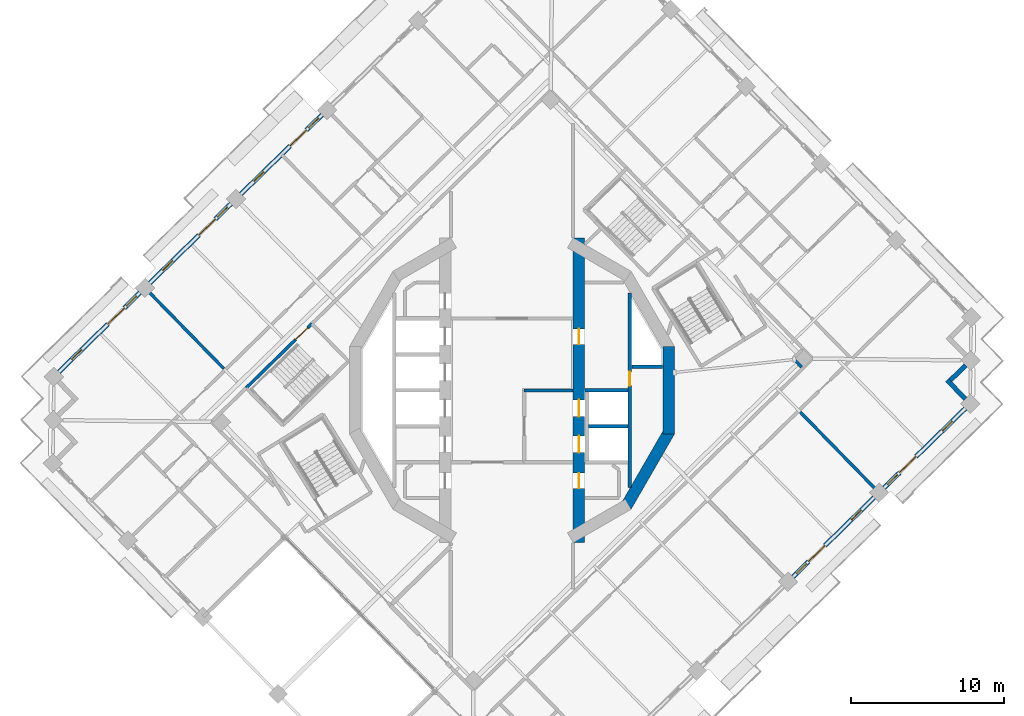
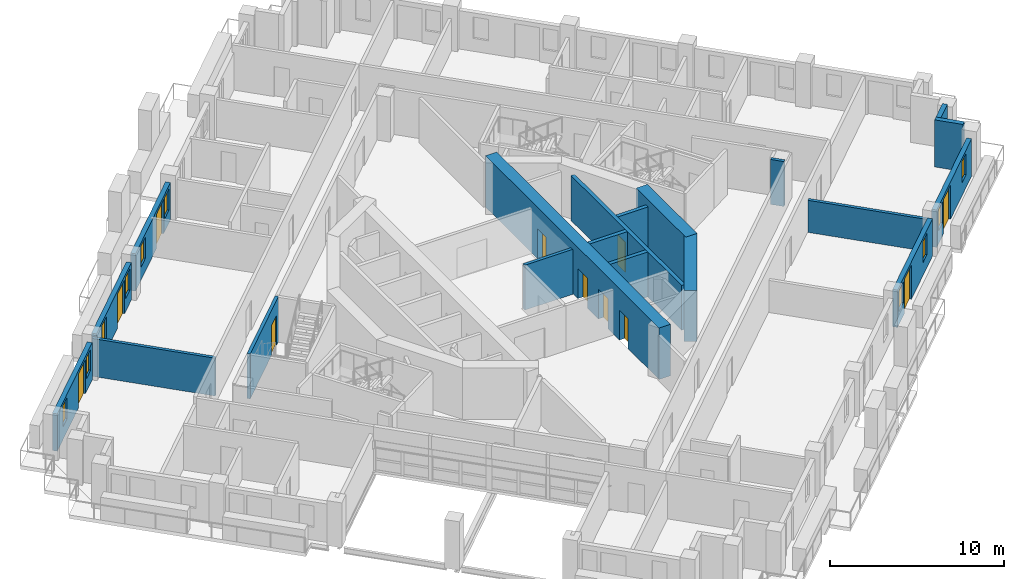
# One storey, part 9 of 19: 19 walls, 11 doors, 10 windows, 21 openings.
"""IFC4 building model written with IfcOpenShell, lengths in metres."""

from ifc_helpers import new_model, si_unit, direction, frame, frame_2d, origin, place, context, subcontext, project, spatial, rectangle, extrude, material, layer, layer_set, type_object, element, fill, save


model = new_model("IFC4")

# Units and contexts
model_context = context("Model", 3, precision=1e-05, world=origin(), true_north=direction((0.0, 1.0)))
body_context = subcontext(model_context, "Body", "Model", "MODEL_VIEW")
ifc_project = project(units=[si_unit("LENGTHUNIT", "METRE"), si_unit("AREAUNIT", "SQUARE_METRE"), si_unit("VOLUMEUNIT", "CUBIC_METRE"), si_unit("PLANEANGLEUNIT", "RADIAN"), si_unit("MASSUNIT", "GRAM", prefix="KILO")], contexts=[model_context])

# Site, building, storey
site_placement = place(None, origin())
site = spatial("IfcSite", under=ifc_project, at=site_placement, CompositionType="ELEMENT")
building_placement = place(site_placement, origin())
building = spatial("IfcBuilding", under=site, at=building_placement, Name="Cantera Rosa Tower", CompositionType="ELEMENT")
storey_placement = place(building_placement, frame((0.0, 0.0, 241.39990234375)))
storey = spatial("IfcBuildingStorey", under=building, at=storey_placement, Name="L53", CompositionType="ELEMENT", Elevation=241.39990234375)

# Walls
ifc_material_1 = material(Name="Hollow clay masonry with cantera stone cladding", Category="masonry")
ifc_layer_1 = layer(ifc_material_1, 0.300048828125)
ifc_layer_set_1 = layer_set([ifc_layer_1], Name="EW-LOGGIA 300")
wall_type_1 = type_object("IfcWallType", Name="EW-LOGGIA 300", PredefinedType="SOLIDWALL", material=ifc_layer_set_1)
wall_1_placement = place(storey_placement, frame((29.623291015625, -0.556884765625, 0.0), z_axis=(0.0, 0.0, 1.0), x_axis=(-0.69880105094, 0.715316077832, 0.0)))
element("IfcWall", 1, at=wall_1_placement, inside=storey, type_object=wall_type_1, Name="EN-L53-W26a", PredefinedType="SOLIDWALL", context=body_context, shape_type="SweptSolid", body=[
    extrude(rectangle(XDim=1.699951171875, YDim=0.300048828125, at=frame_2d((0.85009765625, 0.0))), origin(), (0.0, 0.0, 1.0), 3.300048828125),
])
wall_2_placement = place(storey_placement, frame((28.6474609375, 0.65673828125, 0.0), z_axis=(0.0, 0.0, 1.0), x_axis=(0.715341715727, 0.698774806172, 0.0)))
element("IfcWall", 2, at=wall_2_placement, inside=storey, type_object=wall_type_1, Name="EN-L53-W26b", PredefinedType="SOLIDWALL", context=body_context, shape_type="SweptSolid", body=[
    extrude(rectangle(XDim=1.39990234375, YDim=0.300048828125, at=frame_2d((0.699951171875, 0.0))), origin(), (0.0, 0.0, 1.0), 3.300048828125),
])

# Wall, openings, windows, door
ifc_material_2 = material(Name="Hollow clay masonry with cantera stone cladding", Category="masonry")
ifc_layer_2 = layer(ifc_material_2, 0.300048828125)
ifc_layer_set_2 = layer_set([ifc_layer_2], Name="EW-LOGGIA 300 H2620")
wall_type_2 = type_object("IfcWallType", Name="EW-LOGGIA 300 H2620", PredefinedType="SOLIDWALL", material=ifc_layer_set_2)
wall_3_placement = place(storey_placement, frame((-12.406005859375, 18.007080078125, 0.0), z_axis=(0.0, 0.0, 1.0), x_axis=(-0.715300826176, -0.698816662703, 0.0)))
wall_3 = element("IfcWall", 3, at=wall_3_placement, inside=storey, type_object=wall_type_2, Name="EN-L53-W09", PredefinedType="SOLIDWALL", context=body_context, shape_type="SweptSolid", body=[
    extrude(rectangle(XDim=7.420166015625, YDim=0.300048828125, at=frame_2d((3.7099609375, 0.0))), origin(), (0.0, 0.0, 1.0), 2.6201171875),
])
opening_1_placement = place(wall_3_placement, frame((0.330078125, 0.0, 0.89990234375)))
opening_1 = element("IfcOpeningElement", 4, at=opening_1_placement, cuts=wall_3, Name="Opening L53-W19", PredefinedType="OPENING", context=body_context, shape_type="SweptSolid", body=[
    extrude(rectangle(XDim=0.89990234375, YDim=1.5, at=frame_2d((0.449951171875, 0.75))), frame((0.0, 0.159912109375, 0.0), z_axis=(0.0, -1.0, 0.0), x_axis=(1.0, 0.0, 0.0)), (0.0, 0.0, 1.0), 0.320068359375),
])
opening_2_placement = place(wall_3_placement, frame((1.429931640625, 0.0, 0.0)))
opening_2 = element("IfcOpeningElement", 5, at=opening_2_placement, cuts=wall_3, Name="Opening L53-TD20", PredefinedType="OPENING", context=body_context, shape_type="SweptSolid", body=[
    extrude(rectangle(XDim=1.5, YDim=2.39990234375, at=frame_2d((0.75, 1.199951171875))), frame((0.0, 0.159912109375, 0.0), z_axis=(0.0, -1.0, 0.0), x_axis=(1.0, 0.0, 0.0)), (0.0, 0.0, 1.0), 0.320068359375),
])
opening_3_placement = place(wall_3_placement, frame((5.340087890625, 0.0, 0.89990234375)))
opening_3 = element("IfcOpeningElement", 6, at=opening_3_placement, cuts=wall_3, Name="Opening L53-W21", PredefinedType="OPENING", context=body_context, shape_type="SweptSolid", body=[
    extrude(rectangle(XDim=0.89990234375, YDim=1.5, at=frame_2d((0.449951171875, 0.75))), frame((0.0, 0.159912109375, 0.0), z_axis=(0.0, -1.0, 0.0), x_axis=(1.0, 0.0, 0.0)), (0.0, 0.0, 1.0), 0.320068359375),
])
ifc_material_3 = material(Name="Aluminium frame with clear glass", Category="aluminium")
window_type = type_object("IfcWindowType", Name="Residential window 900x1500", PartitioningType="SINGLE_PANEL", PredefinedType="WINDOW", material=ifc_material_3)
window_1_placement = place(opening_1_placement, origin())
window_1 = element("IfcWindow", 7, at=window_1_placement, inside=storey, type_object=window_type, Name="WINDOW L53-W19", OverallHeight=1.5, OverallWidth=0.89990234375, PartitioningType="SINGLE_PANEL", PredefinedType="WINDOW", context=body_context, shape_type="SweptSolid", body=[
    extrude(rectangle(XDim=0.89990234375, YDim=1.5, at=frame_2d((0.449951171875, 0.75))), frame((0.0, 0.030029296875, 0.0), z_axis=(0.0, -1.0, 0.0), x_axis=(1.0, 0.0, 0.0)), (0.0, 0.0, 1.0), 0.06005859375),
])
fill(opening_1, window_1)
window_2_placement = place(opening_3_placement, origin())
window_2 = element("IfcWindow", 8, at=window_2_placement, inside=storey, type_object=window_type, Name="WINDOW L53-W21", OverallHeight=1.5, OverallWidth=0.89990234375, PartitioningType="SINGLE_PANEL", PredefinedType="WINDOW", context=body_context, shape_type="SweptSolid", body=[
    extrude(rectangle(XDim=0.89990234375, YDim=1.5, at=frame_2d((0.449951171875, 0.75))), frame((0.0, 0.030029296875, 0.0), z_axis=(0.0, -1.0, 0.0), x_axis=(1.0, 0.0, 0.0)), (0.0, 0.0, 1.0), 0.06005859375),
])
fill(opening_3, window_2)
ifc_material_4 = material(Name="Aluminium frame with clear glass", Category="aluminium")
door_type_1 = type_object("IfcDoorType", Name="TD-R 1500x2400", OperationType="NOTDEFINED", PredefinedType="DOOR", material=ifc_material_4)
door_1_placement = place(opening_2_placement, origin())
door_1 = element("IfcDoor", 9, at=door_1_placement, inside=storey, type_object=door_type_1, Name="LOGGIA DOOR L53-TD20", OperationType="SLIDING_TO_LEFT", OverallHeight=2.39990234375, OverallWidth=1.5, PredefinedType="DOOR", context=body_context, shape_type="SweptSolid", body=[
    extrude(rectangle(XDim=1.5, YDim=2.39990234375, at=frame_2d((0.75, 1.199951171875))), frame((0.0, 0.02490234375, 0.0), z_axis=(0.0, -1.0, 0.0), x_axis=(1.0, 0.0, 0.0)), (0.0, 0.0, 1.0), 0.050048828125),
])
fill(opening_2, door_1)

wall_4_placement = place(storey_placement, frame((-18.357177734375, 12.19287109375, 0.0), z_axis=(0.0, 0.0, 1.0), x_axis=(-0.715300826176, -0.698816662703, 0.0)))
wall_4 = element("IfcWall", 10, at=wall_4_placement, inside=storey, type_object=wall_type_2, Name="EN-L53-W10", PredefinedType="SOLIDWALL", context=body_context, shape_type="SweptSolid", body=[
    extrude(rectangle(XDim=7.420166015625, YDim=0.300048828125, at=frame_2d((3.7099609375, 0.0))), origin(), (0.0, 0.0, 1.0), 2.6201171875),
])
opening_4_placement = place(wall_4_placement, frame((0.330078125, 0.0, 0.89990234375)))
opening_4 = element("IfcOpeningElement", 11, at=opening_4_placement, cuts=wall_4, Name="Opening L53-W22", PredefinedType="OPENING", context=body_context, shape_type="SweptSolid", body=[
    extrude(rectangle(XDim=0.89990234375, YDim=1.5, at=frame_2d((0.449951171875, 0.75))), frame((0.0, 0.159912109375, 0.0), z_axis=(0.0, -1.0, 0.0), x_axis=(1.0, 0.0, 0.0)), (0.0, 0.0, 1.0), 0.320068359375),
])
opening_5_placement = place(wall_4_placement, frame((1.429931640625, 0.0, 0.0)))
opening_5 = element("IfcOpeningElement", 12, at=opening_5_placement, cuts=wall_4, Name="Opening L53-TD23", PredefinedType="OPENING", context=body_context, shape_type="SweptSolid", body=[
    extrude(rectangle(XDim=1.5, YDim=2.39990234375, at=frame_2d((0.75, 1.199951171875))), frame((0.0, 0.159912109375, 0.0), z_axis=(0.0, -1.0, 0.0), x_axis=(1.0, 0.0, 0.0)), (0.0, 0.0, 1.0), 0.320068359375),
])
opening_6_placement = place(wall_4_placement, frame((5.340087890625, 0.0, 0.89990234375)))
opening_6 = element("IfcOpeningElement", 13, at=opening_6_placement, cuts=wall_4, Name="Opening L53-W24", PredefinedType="OPENING", context=body_context, shape_type="SweptSolid", body=[
    extrude(rectangle(XDim=0.89990234375, YDim=1.5, at=frame_2d((0.449951171875, 0.75))), frame((0.0, 0.159912109375, 0.0), z_axis=(0.0, -1.0, 0.0), x_axis=(1.0, 0.0, 0.0)), (0.0, 0.0, 1.0), 0.320068359375),
])
window_3_placement = place(opening_4_placement, origin())
window_3 = element("IfcWindow", 14, at=window_3_placement, inside=storey, type_object=window_type, Name="WINDOW L53-W22", OverallHeight=1.5, OverallWidth=0.89990234375, PartitioningType="SINGLE_PANEL", PredefinedType="WINDOW", context=body_context, shape_type="SweptSolid", body=[
    extrude(rectangle(XDim=0.89990234375, YDim=1.5, at=frame_2d((0.449951171875, 0.75))), frame((0.0, 0.030029296875, 0.0), z_axis=(0.0, -1.0, 0.0), x_axis=(1.0, 0.0, 0.0)), (0.0, 0.0, 1.0), 0.06005859375),
])
fill(opening_4, window_3)
window_4_placement = place(opening_6_placement, origin())
window_4 = element("IfcWindow", 15, at=window_4_placement, inside=storey, type_object=window_type, Name="WINDOW L53-W24", OverallHeight=1.5, OverallWidth=0.89990234375, PartitioningType="SINGLE_PANEL", PredefinedType="WINDOW", context=body_context, shape_type="SweptSolid", body=[
    extrude(rectangle(XDim=0.89990234375, YDim=1.5, at=frame_2d((0.449951171875, 0.75))), frame((0.0, 0.030029296875, 0.0), z_axis=(0.0, -1.0, 0.0), x_axis=(1.0, 0.0, 0.0)), (0.0, 0.0, 1.0), 0.06005859375),
])
fill(opening_6, window_4)
door_2_placement = place(opening_5_placement, origin())
door_2 = element("IfcDoor", 16, at=door_2_placement, inside=storey, type_object=door_type_1, Name="LOGGIA DOOR L53-TD23", OperationType="SLIDING_TO_LEFT", OverallHeight=2.39990234375, OverallWidth=1.5, PredefinedType="DOOR", context=body_context, shape_type="SweptSolid", body=[
    extrude(rectangle(XDim=1.5, YDim=2.39990234375, at=frame_2d((0.75, 1.199951171875))), frame((0.0, 0.02490234375, 0.0), z_axis=(0.0, -1.0, 0.0), x_axis=(1.0, 0.0, 0.0)), (0.0, 0.0, 1.0), 0.050048828125),
])
fill(opening_5, door_2)

wall_5_placement = place(storey_placement, frame((-24.308349609375, 6.37841796875, 0.0), z_axis=(0.0, 0.0, 1.0), x_axis=(-0.715300826176, -0.698816662703, 0.0)))
wall_5 = element("IfcWall", 17, at=wall_5_placement, inside=storey, type_object=wall_type_2, Name="EN-L53-W11", PredefinedType="SOLIDWALL", context=body_context, shape_type="SweptSolid", body=[
    extrude(rectangle(XDim=7.420166015625, YDim=0.300048828125, at=frame_2d((3.7099609375, 0.0))), origin(), (0.0, 0.0, 1.0), 2.6201171875),
])
opening_7_placement = place(wall_5_placement, frame((0.330078125, 0.0, 0.89990234375)))
opening_7 = element("IfcOpeningElement", 18, at=opening_7_placement, cuts=wall_5, Name="Opening L53-W25", PredefinedType="OPENING", context=body_context, shape_type="SweptSolid", body=[
    extrude(rectangle(XDim=0.89990234375, YDim=1.5, at=frame_2d((0.449951171875, 0.75))), frame((0.0, 0.159912109375, 0.0), z_axis=(0.0, -1.0, 0.0), x_axis=(1.0, 0.0, 0.0)), (0.0, 0.0, 1.0), 0.320068359375),
])
opening_8_placement = place(wall_5_placement, frame((1.429931640625, 0.0, 0.0)))
opening_8 = element("IfcOpeningElement", 19, at=opening_8_placement, cuts=wall_5, Name="Opening L53-TD26", PredefinedType="OPENING", context=body_context, shape_type="SweptSolid", body=[
    extrude(rectangle(XDim=1.5, YDim=2.39990234375, at=frame_2d((0.75, 1.199951171875))), frame((0.0, 0.159912109375, 0.0), z_axis=(0.0, -1.0, 0.0), x_axis=(1.0, 0.0, 0.0)), (0.0, 0.0, 1.0), 0.320068359375),
])
opening_9_placement = place(wall_5_placement, frame((5.340087890625, 0.0, 0.89990234375)))
opening_9 = element("IfcOpeningElement", 20, at=opening_9_placement, cuts=wall_5, Name="Opening L53-W27", PredefinedType="OPENING", context=body_context, shape_type="SweptSolid", body=[
    extrude(rectangle(XDim=0.89990234375, YDim=1.5, at=frame_2d((0.449951171875, 0.75))), frame((0.0, 0.159912109375, 0.0), z_axis=(0.0, -1.0, 0.0), x_axis=(1.0, 0.0, 0.0)), (0.0, 0.0, 1.0), 0.320068359375),
])
window_5_placement = place(opening_7_placement, origin())
window_5 = element("IfcWindow", 21, at=window_5_placement, inside=storey, type_object=window_type, Name="WINDOW L53-W25", OverallHeight=1.5, OverallWidth=0.89990234375, PartitioningType="SINGLE_PANEL", PredefinedType="WINDOW", context=body_context, shape_type="SweptSolid", body=[
    extrude(rectangle(XDim=0.89990234375, YDim=1.5, at=frame_2d((0.449951171875, 0.75))), frame((0.0, 0.030029296875, 0.0), z_axis=(0.0, -1.0, 0.0), x_axis=(1.0, 0.0, 0.0)), (0.0, 0.0, 1.0), 0.06005859375),
])
fill(opening_7, window_5)
window_6_placement = place(opening_9_placement, origin())
window_6 = element("IfcWindow", 22, at=window_6_placement, inside=storey, type_object=window_type, Name="WINDOW L53-W27", OverallHeight=1.5, OverallWidth=0.89990234375, PartitioningType="SINGLE_PANEL", PredefinedType="WINDOW", context=body_context, shape_type="SweptSolid", body=[
    extrude(rectangle(XDim=0.89990234375, YDim=1.5, at=frame_2d((0.449951171875, 0.75))), frame((0.0, 0.030029296875, 0.0), z_axis=(0.0, -1.0, 0.0), x_axis=(1.0, 0.0, 0.0)), (0.0, 0.0, 1.0), 0.06005859375),
])
fill(opening_9, window_6)
door_3_placement = place(opening_8_placement, origin())
door_3 = element("IfcDoor", 23, at=door_3_placement, inside=storey, type_object=door_type_1, Name="LOGGIA DOOR L53-TD26", OperationType="SLIDING_TO_LEFT", OverallHeight=2.39990234375, OverallWidth=1.5, PredefinedType="DOOR", context=body_context, shape_type="SweptSolid", body=[
    extrude(rectangle(XDim=1.5, YDim=2.39990234375, at=frame_2d((0.75, 1.199951171875))), frame((0.0, 0.02490234375, 0.0), z_axis=(0.0, -1.0, 0.0), x_axis=(1.0, 0.0, 0.0)), (0.0, 0.0, 1.0), 0.050048828125),
])
fill(opening_8, door_3)

wall_6_placement = place(storey_placement, frame((18.357177734375, -12.19287109375, 0.0), z_axis=(0.0, 0.0, 1.0), x_axis=(0.715300826176, 0.698816662703, 0.0)))
wall_6 = element("IfcWall", 24, at=wall_6_placement, inside=storey, type_object=wall_type_2, Name="EN-L53-W24", PredefinedType="SOLIDWALL", context=body_context, shape_type="SweptSolid", body=[
    extrude(rectangle(XDim=7.420166015625, YDim=0.300048828125, at=frame_2d((3.7099609375, 0.0))), origin(), (0.0, 0.0, 1.0), 2.6201171875),
])
opening_10_placement = place(wall_6_placement, frame((0.330078125, 0.0, 0.89990234375)))
opening_10 = element("IfcOpeningElement", 25, at=opening_10_placement, cuts=wall_6, Name="Opening L53-W46", PredefinedType="OPENING", context=body_context, shape_type="SweptSolid", body=[
    extrude(rectangle(XDim=0.89990234375, YDim=1.5, at=frame_2d((0.449951171875, 0.75))), frame((0.0, 0.159912109375, 0.0), z_axis=(0.0, -1.0, 0.0), x_axis=(1.0, 0.0, 0.0)), (0.0, 0.0, 1.0), 0.320068359375),
])
opening_11_placement = place(wall_6_placement, frame((1.429931640625, 0.0, 0.0)))
opening_11 = element("IfcOpeningElement", 26, at=opening_11_placement, cuts=wall_6, Name="Opening L53-TD47", PredefinedType="OPENING", context=body_context, shape_type="SweptSolid", body=[
    extrude(rectangle(XDim=1.5, YDim=2.39990234375, at=frame_2d((0.75, 1.199951171875))), frame((0.0, 0.159912109375, 0.0), z_axis=(0.0, -1.0, 0.0), x_axis=(1.0, 0.0, 0.0)), (0.0, 0.0, 1.0), 0.320068359375),
])
opening_12_placement = place(wall_6_placement, frame((5.340087890625, 0.0, 0.89990234375)))
opening_12 = element("IfcOpeningElement", 27, at=opening_12_placement, cuts=wall_6, Name="Opening L53-W48", PredefinedType="OPENING", context=body_context, shape_type="SweptSolid", body=[
    extrude(rectangle(XDim=0.89990234375, YDim=1.5, at=frame_2d((0.449951171875, 0.75))), frame((0.0, 0.159912109375, 0.0), z_axis=(0.0, -1.0, 0.0), x_axis=(1.0, 0.0, 0.0)), (0.0, 0.0, 1.0), 0.320068359375),
])
window_7_placement = place(opening_10_placement, origin())
window_7 = element("IfcWindow", 28, at=window_7_placement, inside=storey, type_object=window_type, Name="WINDOW L53-W46", OverallHeight=1.5, OverallWidth=0.89990234375, PartitioningType="SINGLE_PANEL", PredefinedType="WINDOW", context=body_context, shape_type="SweptSolid", body=[
    extrude(rectangle(XDim=0.89990234375, YDim=1.5, at=frame_2d((0.449951171875, 0.75))), frame((0.0, 0.030029296875, 0.0), z_axis=(0.0, -1.0, 0.0), x_axis=(1.0, 0.0, 0.0)), (0.0, 0.0, 1.0), 0.06005859375),
])
fill(opening_10, window_7)
window_8_placement = place(opening_12_placement, origin())
window_8 = element("IfcWindow", 29, at=window_8_placement, inside=storey, type_object=window_type, Name="WINDOW L53-W48", OverallHeight=1.5, OverallWidth=0.89990234375, PartitioningType="SINGLE_PANEL", PredefinedType="WINDOW", context=body_context, shape_type="SweptSolid", body=[
    extrude(rectangle(XDim=0.89990234375, YDim=1.5, at=frame_2d((0.449951171875, 0.75))), frame((0.0, 0.030029296875, 0.0), z_axis=(0.0, -1.0, 0.0), x_axis=(1.0, 0.0, 0.0)), (0.0, 0.0, 1.0), 0.06005859375),
])
fill(opening_12, window_8)
door_4_placement = place(opening_11_placement, origin())
door_4 = element("IfcDoor", 30, at=door_4_placement, inside=storey, type_object=door_type_1, Name="LOGGIA DOOR L53-TD47", OperationType="SLIDING_TO_LEFT", OverallHeight=2.39990234375, OverallWidth=1.5, PredefinedType="DOOR", context=body_context, shape_type="SweptSolid", body=[
    extrude(rectangle(XDim=1.5, YDim=2.39990234375, at=frame_2d((0.75, 1.199951171875))), frame((0.0, 0.02490234375, 0.0), z_axis=(0.0, -1.0, 0.0), x_axis=(1.0, 0.0, 0.0)), (0.0, 0.0, 1.0), 0.050048828125),
])
fill(opening_11, door_4)

wall_7_placement = place(storey_placement, frame((24.308349609375, -6.37841796875, 0.0), z_axis=(0.0, 0.0, 1.0), x_axis=(0.715300826176, 0.698816662703, 0.0)))
wall_7 = element("IfcWall", 31, at=wall_7_placement, inside=storey, type_object=wall_type_2, Name="EN-L53-W25", PredefinedType="SOLIDWALL", context=body_context, shape_type="SweptSolid", body=[
    extrude(rectangle(XDim=7.420166015625, YDim=0.300048828125, at=frame_2d((3.7099609375, 0.0))), origin(), (0.0, 0.0, 1.0), 2.6201171875),
])
opening_13_placement = place(wall_7_placement, frame((0.330078125, 0.0, 0.89990234375)))
opening_13 = element("IfcOpeningElement", 32, at=opening_13_placement, cuts=wall_7, Name="Opening L53-W49", PredefinedType="OPENING", context=body_context, shape_type="SweptSolid", body=[
    extrude(rectangle(XDim=0.89990234375, YDim=1.5, at=frame_2d((0.449951171875, 0.75))), frame((0.0, 0.159912109375, 0.0), z_axis=(0.0, -1.0, 0.0), x_axis=(1.0, 0.0, 0.0)), (0.0, 0.0, 1.0), 0.320068359375),
])
opening_14_placement = place(wall_7_placement, frame((1.429931640625, 0.0, 0.0)))
opening_14 = element("IfcOpeningElement", 33, at=opening_14_placement, cuts=wall_7, Name="Opening L53-TD50", PredefinedType="OPENING", context=body_context, shape_type="SweptSolid", body=[
    extrude(rectangle(XDim=1.5, YDim=2.39990234375, at=frame_2d((0.75, 1.199951171875))), frame((0.0, 0.159912109375, 0.0), z_axis=(0.0, -1.0, 0.0), x_axis=(1.0, 0.0, 0.0)), (0.0, 0.0, 1.0), 0.320068359375),
])
opening_15_placement = place(wall_7_placement, frame((5.340087890625, 0.0, 0.89990234375)))
opening_15 = element("IfcOpeningElement", 34, at=opening_15_placement, cuts=wall_7, Name="Opening L53-W51", PredefinedType="OPENING", context=body_context, shape_type="SweptSolid", body=[
    extrude(rectangle(XDim=0.89990234375, YDim=1.5, at=frame_2d((0.449951171875, 0.75))), frame((0.0, 0.159912109375, 0.0), z_axis=(0.0, -1.0, 0.0), x_axis=(1.0, 0.0, 0.0)), (0.0, 0.0, 1.0), 0.320068359375),
])
window_9_placement = place(opening_13_placement, origin())
window_9 = element("IfcWindow", 35, at=window_9_placement, inside=storey, type_object=window_type, Name="WINDOW L53-W49", OverallHeight=1.5, OverallWidth=0.89990234375, PartitioningType="SINGLE_PANEL", PredefinedType="WINDOW", context=body_context, shape_type="SweptSolid", body=[
    extrude(rectangle(XDim=0.89990234375, YDim=1.5, at=frame_2d((0.449951171875, 0.75))), frame((0.0, 0.030029296875, 0.0), z_axis=(0.0, -1.0, 0.0), x_axis=(1.0, 0.0, 0.0)), (0.0, 0.0, 1.0), 0.06005859375),
])
fill(opening_13, window_9)
window_10_placement = place(opening_15_placement, origin())
window_10 = element("IfcWindow", 36, at=window_10_placement, inside=storey, type_object=window_type, Name="WINDOW L53-W51", OverallHeight=1.5, OverallWidth=0.89990234375, PartitioningType="SINGLE_PANEL", PredefinedType="WINDOW", context=body_context, shape_type="SweptSolid", body=[
    extrude(rectangle(XDim=0.89990234375, YDim=1.5, at=frame_2d((0.449951171875, 0.75))), frame((0.0, 0.030029296875, 0.0), z_axis=(0.0, -1.0, 0.0), x_axis=(1.0, 0.0, 0.0)), (0.0, 0.0, 1.0), 0.06005859375),
])
fill(opening_15, window_10)
door_5_placement = place(opening_14_placement, origin())
door_5 = element("IfcDoor", 37, at=door_5_placement, inside=storey, type_object=door_type_1, Name="LOGGIA DOOR L53-TD50", OperationType="SLIDING_TO_LEFT", OverallHeight=2.39990234375, OverallWidth=1.5, PredefinedType="DOOR", context=body_context, shape_type="SweptSolid", body=[
    extrude(rectangle(XDim=1.5, YDim=2.39990234375, at=frame_2d((0.75, 1.199951171875))), frame((0.0, 0.02490234375, 0.0), z_axis=(0.0, -1.0, 0.0), x_axis=(1.0, 0.0, 0.0)), (0.0, 0.0, 1.0), 0.050048828125),
])
fill(opening_14, door_5)

# Walls
ifc_material_5 = material(Name="Gypsum board partition")
ifc_layer_3 = layer(ifc_material_5, 0.199951171875)
ifc_layer_set_3 = layer_set([ifc_layer_3], Name="PARTITION 200 H2250")
wall_type_3 = type_object("IfcWallType", Name="PARTITION 200 H2250", PredefinedType="PARTITIONING", material=ifc_layer_set_3)
wall_8_placement = place(storey_placement, frame((18.8291015625, -1.414306640625, 0.0), z_axis=(0.0, 0.0, 1.0), x_axis=(0.698854556514, -0.71526380367, 0.0)))
element("IfcWall", 38, at=wall_8_placement, inside=storey, type_object=wall_type_3, Name="PARTITION L53-111", PredefinedType="PARTITIONING", context=body_context, shape_type="SweptSolid", body=[
    extrude(rectangle(XDim=7.349853515625, YDim=0.199951171875, at=frame_2d((3.6748046875, 0.0))), origin(), (0.0, 0.0, 1.0), 2.25),
])
ifc_material_6 = material(Name="Gypsum board partition")
ifc_layer_4 = layer(ifc_material_6, 0.199951171875)
ifc_layer_set_4 = layer_set([ifc_layer_4], Name="PARTITION 200 H2650")
wall_type_4 = type_object("IfcWallType", Name="PARTITION 200 H2650", PredefinedType="PARTITIONING", material=ifc_layer_set_4)
wall_9_placement = place(storey_placement, frame((-18.8291015625, 1.414306640625, 0.0), z_axis=(0.0, 0.0, 1.0), x_axis=(-0.698854556514, 0.71526380367, 0.0)))
element("IfcWall", 39, at=wall_9_placement, inside=storey, type_object=wall_type_4, Name="PARTITION L53-013", PredefinedType="PARTITIONING", context=body_context, shape_type="SweptSolid", body=[
    extrude(rectangle(XDim=7.349853515625, YDim=0.199951171875, at=frame_2d((3.6748046875, 0.0))), origin(), (0.0, 0.0, 1.0), 2.650146484375),
])
ifc_material_7 = material(Name="Gypsum board partition")
ifc_layer_5 = layer(ifc_material_7, 0.199951171875)
ifc_layer_set_5 = layer_set([ifc_layer_5], Name="PARTITION 200 H3150")
wall_type_5 = type_object("IfcWallType", Name="PARTITION 200 H3150", PredefinedType="PARTITIONING", material=ifc_layer_set_5)
wall_10_placement = place(storey_placement, frame((18.375, 2.08447265625, 0.0), z_axis=(0.0, 0.0, 1.0), x_axis=(0.698819420598, -0.715298131827, 0.0)))
element("IfcWall", 40, at=wall_10_placement, inside=storey, type_object=wall_type_5, Name="PARTITION L53-110", PredefinedType="PARTITIONING", context=body_context, shape_type="SweptSolid", body=[
    extrude(rectangle(XDim=0.800048828125, YDim=0.199951171875, at=frame_2d((0.39990234375, 0.0))), origin(), (0.0, 0.0, 1.0), 3.150146484375),
])
ifc_material_8 = material(Name="Concrete C60/75", Category="concrete")
ifc_layer_6 = layer(ifc_material_8, 0.75)
ifc_layer_set_6 = layer_set([ifc_layer_6], Name="RC CORE WALL 750 C60/75")
wall_type_6 = type_object("IfcWallType", Name="RC CORE WALL 750 C60/75", PredefinedType="SHEAR", material=ifc_layer_set_6)
wall_11_placement = place(storey_placement, frame((10.250244140625, 2.846923828125, 0.0), z_axis=(0.0, 0.0, 1.0), x_axis=(0.0, -1.0, 0.0)))
element("IfcWall", 41, at=wall_11_placement, inside=storey, type_object=wall_type_6, Name="CW-E3 L53", PredefinedType="SHEAR", context=body_context, shape_type="SweptSolid", body=[
    extrude(rectangle(XDim=5.69384765625, YDim=0.75, at=frame_2d((2.846923828125, 0.0))), origin(), (0.0, 0.0, 1.0), 3.60009765625),
])
wall_12_placement = place(storey_placement, frame((10.300537109375, -2.659423828125, 0.0), z_axis=(0.0, 0.0, 1.0), x_axis=(-0.500021842983, -0.866012792365, 0.0)))
element("IfcWall", 42, at=wall_12_placement, inside=storey, type_object=wall_type_6, Name="CW-E4 L53", PredefinedType="SHEAR", context=body_context, shape_type="SweptSolid", body=[
    extrude(rectangle(XDim=5.694091796875, YDim=0.75, at=frame_2d((2.84716796875, 0.0))), origin(), (0.0, 0.0, 1.0), 3.60009765625),
])

# Wall, openings, doors
wall_13_placement = place(storey_placement, frame((4.375, -9.95947265625, 0.0), z_axis=(0.0, 0.0, 1.0), x_axis=(0.0, 1.0, 0.0)))
wall_13 = element("IfcWall", 43, at=wall_13_placement, inside=storey, type_object=wall_type_6, Name="CW-E6 L53", PredefinedType="SHEAR", context=body_context, shape_type="SweptSolid", body=[
    extrude(rectangle(XDim=19.9189453125, YDim=0.75, at=frame_2d((9.95947265625, 0.0))), origin(), (0.0, 0.0, 1.0), 3.60009765625),
])
opening_16_placement = place(wall_13_placement, frame((5.884521484375, 0.0, 0.0)))
opening_16 = element("IfcOpeningElement", 44, at=opening_16_placement, cuts=wall_13, Name="Opening LD-FF1-L53", PredefinedType="OPENING", context=body_context, shape_type="SweptSolid", body=[
    extrude(rectangle(XDim=1.10009765625, YDim=2.10009765625, at=frame_2d((0.550048828125, 1.050048828125))), frame((0.0, 0.385009765625, 0.0), z_axis=(0.0, -1.0, 0.0), x_axis=(1.0, 0.0, 0.0)), (0.0, 0.0, 1.0), 0.77001953125),
])
opening_17_placement = place(wall_13_placement, frame((8.234619140625, 0.0, 0.0)))
opening_17 = element("IfcOpeningElement", 45, at=opening_17_placement, cuts=wall_13, Name="Opening LD-FF2-L53", PredefinedType="OPENING", context=body_context, shape_type="SweptSolid", body=[
    extrude(rectangle(XDim=1.10009765625, YDim=2.10009765625, at=frame_2d((0.550048828125, 1.050048828125))), frame((0.0, 0.385009765625, 0.0), z_axis=(0.0, -1.0, 0.0), x_axis=(1.0, 0.0, 0.0)), (0.0, 0.0, 1.0), 0.77001953125),
])
opening_18_placement = place(wall_13_placement, frame((3.55078125, 0.0, 0.0)))
opening_18 = element("IfcOpeningElement", 46, at=opening_18_placement, cuts=wall_13, Name="Opening SD-L53-20", PredefinedType="OPENING", context=body_context, shape_type="SweptSolid", body=[
    extrude(rectangle(XDim=1.0, YDim=2.10009765625, at=frame_2d((0.5, 1.050048828125))), frame((0.0, 0.385009765625, 0.0), z_axis=(0.0, -1.0, 0.0), x_axis=(1.0, 0.0, 0.0)), (0.0, 0.0, 1.0), 0.77001953125),
])
opening_19_placement = place(wall_13_placement, frame((12.9658203125, 0.0, 0.0)))
opening_19 = element("IfcOpeningElement", 47, at=opening_19_placement, cuts=wall_13, Name="Opening SD-L53-21", PredefinedType="OPENING", context=body_context, shape_type="SweptSolid", body=[
    extrude(rectangle(XDim=1.0, YDim=2.10009765625, at=frame_2d((0.5, 1.050048828125))), frame((0.0, 0.385009765625, 0.0), z_axis=(0.0, -1.0, 0.0), x_axis=(1.0, 0.0, 0.0)), (0.0, 0.0, 1.0), 0.77001953125),
])
ifc_material_9 = material(Name="Steel S355J2 (EN 10025-2)", Category="steel")
door_type_2 = type_object("IfcDoorType", Name="LANDING DOOR 1100x2100", OperationType="NOTDEFINED", PredefinedType="DOOR", material=ifc_material_9)
door_6_placement = place(opening_16_placement, origin())
door_6 = element("IfcDoor", 48, at=door_6_placement, inside=storey, type_object=door_type_2, Name="LANDING DOOR FF1 L53", OperationType="SLIDING_TO_LEFT", OverallHeight=2.10009765625, OverallWidth=1.10009765625, PredefinedType="DOOR", context=body_context, shape_type="SweptSolid", body=[
    extrude(rectangle(XDim=1.10009765625, YDim=2.10009765625, at=frame_2d((0.550048828125, 1.050048828125))), frame((0.0, 0.02490234375, 0.0), z_axis=(0.0, -1.0, 0.0), x_axis=(1.0, 0.0, 0.0)), (0.0, 0.0, 1.0), 0.050048828125),
])
fill(opening_16, door_6)
door_7_placement = place(opening_17_placement, origin())
door_7 = element("IfcDoor", 49, at=door_7_placement, inside=storey, type_object=door_type_2, Name="LANDING DOOR FF2 L53", OperationType="SLIDING_TO_LEFT", OverallHeight=2.10009765625, OverallWidth=1.10009765625, PredefinedType="DOOR", context=body_context, shape_type="SweptSolid", body=[
    extrude(rectangle(XDim=1.10009765625, YDim=2.10009765625, at=frame_2d((0.550048828125, 1.050048828125))), frame((0.0, 0.02490234375, 0.0), z_axis=(0.0, -1.0, 0.0), x_axis=(1.0, 0.0, 0.0)), (0.0, 0.0, 1.0), 0.050048828125),
])
fill(opening_17, door_7)
ifc_material_10 = material(Name="Timber door leaf", Category="wood")
door_type_3 = type_object("IfcDoorType", Name="SERVICE DOOR 1000x2100", OperationType="NOTDEFINED", PredefinedType="DOOR", material=ifc_material_10)
door_8_placement = place(opening_18_placement, origin())
door_8 = element("IfcDoor", 50, at=door_8_placement, inside=storey, type_object=door_type_3, Name="DOOR L53-SD20", OperationType="NOTDEFINED", OverallHeight=2.10009765625, OverallWidth=1.0, PredefinedType="DOOR", context=body_context, shape_type="SweptSolid", body=[
    extrude(rectangle(XDim=1.0, YDim=2.10009765625, at=frame_2d((0.5, 1.050048828125))), frame((0.0, 0.02490234375, 0.0), z_axis=(0.0, -1.0, 0.0), x_axis=(1.0, 0.0, 0.0)), (0.0, 0.0, 1.0), 0.050048828125),
])
fill(opening_18, door_8)
door_9_placement = place(opening_19_placement, origin())
door_9 = element("IfcDoor", 51, at=door_9_placement, inside=storey, type_object=door_type_3, Name="DOOR L53-SD21", OperationType="NOTDEFINED", OverallHeight=2.10009765625, OverallWidth=1.0, PredefinedType="DOOR", context=body_context, shape_type="SweptSolid", body=[
    extrude(rectangle(XDim=1.0, YDim=2.10009765625, at=frame_2d((0.5, 1.050048828125))), frame((0.0, 0.02490234375, 0.0), z_axis=(0.0, -1.0, 0.0), x_axis=(1.0, 0.0, 0.0)), (0.0, 0.0, 1.0), 0.050048828125),
])
fill(opening_19, door_9)

# Wall
ifc_material_11 = material(Name="Masonry blockwork", Category="masonry")
ifc_layer_7 = layer(ifc_material_11, 0.25)
ifc_layer_set_7 = layer_set([ifc_layer_7], Name="SHAFT WALL 250 H3150")
wall_type_7 = type_object("IfcWallType", Name="SHAFT WALL 250 H3150", PredefinedType="SOLIDWALL", material=ifc_layer_set_7)
wall_14_placement = place(storey_placement, frame((4.780029296875, 0.0, 0.0), z_axis=(0.0, 0.0, 1.0), x_axis=(1.0, 0.0, 0.0)))
element("IfcWall", 52, at=wall_14_placement, inside=storey, type_object=wall_type_7, Name="SHAFT WALL L53-076", PredefinedType="SOLIDWALL", context=body_context, shape_type="SweptSolid", body=[
    extrude(rectangle(XDim=2.794921875, YDim=0.25, at=frame_2d((1.3974609375, 0.0))), origin(), (0.0, 0.0, 1.0), 3.150146484375),
])

# Wall, opening, door
wall_15_placement = place(storey_placement, frame((7.699951171875, -6.353515625, 0.0), z_axis=(0.0, 0.0, 1.0), x_axis=(0.0, 1.0, 0.0)))
wall_15 = element("IfcWall", 53, at=wall_15_placement, inside=storey, type_object=wall_type_7, Name="SHAFT WALL L53-087", PredefinedType="SOLIDWALL", context=body_context, shape_type="SweptSolid", body=[
    extrude(rectangle(XDim=12.70703125, YDim=0.25, at=frame_2d((6.353515625, 0.0))), origin(), (0.0, 0.0, 1.0), 3.150146484375),
])
opening_20_placement = place(wall_15_placement, frame((6.658203125, 0.0, 0.0)))
opening_20 = element("IfcOpeningElement", 54, at=opening_20_placement, cuts=wall_15, Name="Opening L53-054", PredefinedType="OPENING", context=body_context, shape_type="SweptSolid", body=[
    extrude(rectangle(XDim=0.89990234375, YDim=2.10009765625, at=frame_2d((0.449951171875, 1.050048828125))), frame((0.0, 0.135009765625, 0.0), z_axis=(0.0, -1.0, 0.0), x_axis=(1.0, 0.0, 0.0)), (0.0, 0.0, 1.0), 0.27001953125),
])
ifc_material_12 = material(Name="Timber door leaf", Category="wood")
door_type_4 = type_object("IfcDoorType", Name="SERVICE DOOR 900x2100", OperationType="NOTDEFINED", PredefinedType="DOOR", material=ifc_material_12)
door_10_placement = place(opening_20_placement, origin())
door_10 = element("IfcDoor", 55, at=door_10_placement, inside=storey, type_object=door_type_4, Name="RISER DOOR L53-054", OperationType="NOTDEFINED", OverallHeight=2.10009765625, OverallWidth=0.89990234375, PredefinedType="DOOR", context=body_context, shape_type="SweptSolid", body=[
    extrude(rectangle(XDim=0.89990234375, YDim=2.10009765625, at=frame_2d((0.449951171875, 1.050048828125))), frame((0.0, 0.02490234375, 0.0), z_axis=(0.0, -1.0, 0.0), x_axis=(1.0, 0.0, 0.0)), (0.0, 0.0, 1.0), 0.050048828125),
])
fill(opening_20, door_10)

# Walls
wall_16_placement = place(storey_placement, frame((7.574951171875, -2.35009765625, 0.0), z_axis=(0.0, 0.0, 1.0), x_axis=(-1.0, 0.0, 0.0)))
element("IfcWall", 56, at=wall_16_placement, inside=storey, type_object=wall_type_7, Name="SHAFT WALL L53-089", PredefinedType="SOLIDWALL", context=body_context, shape_type="SweptSolid", body=[
    extrude(rectangle(XDim=2.56005859375, YDim=0.25, at=frame_2d((1.280029296875, 0.0))), origin(), (0.0, 0.0, 1.0), 3.150146484375),
])
wall_17_placement = place(storey_placement, frame((7.824951171875, 1.539306640625, 0.0), z_axis=(0.0, 0.0, 1.0), x_axis=(1.0, 0.0, 0.0)))
element("IfcWall", 57, at=wall_17_placement, inside=storey, type_object=wall_type_7, Name="SHAFT WALL L53-090", PredefinedType="SOLIDWALL", context=body_context, shape_type="SweptSolid", body=[
    extrude(rectangle(XDim=2.020263671875, YDim=0.25, at=frame_2d((1.01025390625, 0.0))), origin(), (0.0, 0.0, 1.0), 3.150146484375),
])

# Wall, opening, door
ifc_material_13 = material(Name="Concrete C50/60", Category="concrete")
ifc_layer_8 = layer(ifc_material_13, 0.199951171875)
ifc_layer_set_8 = layer_set([ifc_layer_8], Name="STAIR WALL 200 H3150")
wall_type_8 = type_object("IfcWallType", Name="STAIR WALL 200 H3150", PredefinedType="SOLIDWALL", material=ifc_layer_set_8)
wall_18_placement = place(storey_placement, frame((-13.077880859375, 4.34912109375, 0.0), z_axis=(0.0, 0.0, 1.0), x_axis=(-0.715278260946, -0.698839759471, 0.0)))
wall_18 = element("IfcWall", 58, at=wall_18_placement, inside=storey, type_object=wall_type_8, Name="STAIR WALL L53-022", PredefinedType="SOLIDWALL", context=body_context, shape_type="SweptSolid", body=[
    extrude(rectangle(XDim=6.0, YDim=0.199951171875, at=frame_2d((3.0, 0.0))), origin(), (0.0, 0.0, 1.0), 3.150146484375),
])
opening_21_placement = place(wall_18_placement, frame((0.375, 0.0, 0.0)))
opening_21 = element("IfcOpeningElement", 59, at=opening_21_placement, cuts=wall_18, Name="Opening L53-004", PredefinedType="OPENING", context=body_context, shape_type="SweptSolid", body=[
    extrude(rectangle(XDim=1.10009765625, YDim=2.10009765625, at=frame_2d((0.550048828125, 1.050048828125))), frame((0.0, 0.10986328125, 0.0), z_axis=(0.0, -1.0, 0.0), x_axis=(1.0, 0.0, 0.0)), (0.0, 0.0, 1.0), 0.219970703125),
])
ifc_material_14 = material(Name="Steel S355J2 (EN 10025-2)", Category="steel")
door_type_5 = type_object("IfcDoorType", Name="STAIR DOOR 1100x2100", OperationType="NOTDEFINED", PredefinedType="DOOR", material=ifc_material_14)
door_11_placement = place(opening_21_placement, origin())
door_11 = element("IfcDoor", 60, at=door_11_placement, inside=storey, type_object=door_type_5, Name="DOOR L53-004", OperationType="NOTDEFINED", OverallHeight=2.10009765625, OverallWidth=1.10009765625, PredefinedType="DOOR", context=body_context, shape_type="SweptSolid", body=[
    extrude(rectangle(XDim=1.10009765625, YDim=2.10009765625, at=frame_2d((0.550048828125, 1.050048828125))), frame((0.0, 0.02490234375, 0.0), z_axis=(0.0, -1.0, 0.0), x_axis=(1.0, 0.0, 0.0)), (0.0, 0.0, 1.0), 0.050048828125),
])
fill(opening_21, door_11)

# Wall
wall_19_placement = place(storey_placement, frame((0.800048828125, 0.0, 0.0), z_axis=(0.0, 0.0, 1.0), x_axis=(1.0, 0.0, 0.0)))
element("IfcWall", 61, at=wall_19_placement, inside=storey, type_object=wall_type_8, Name="STAIR WALL L53-065", PredefinedType="SOLIDWALL", context=body_context, shape_type="SweptSolid", body=[
    extrude(rectangle(XDim=3.169921875, YDim=0.199951171875, at=frame_2d((1.5849609375, 0.0))), origin(), (0.0, 0.0, 1.0), 3.150146484375),
])

save(model, "model.ifc")
